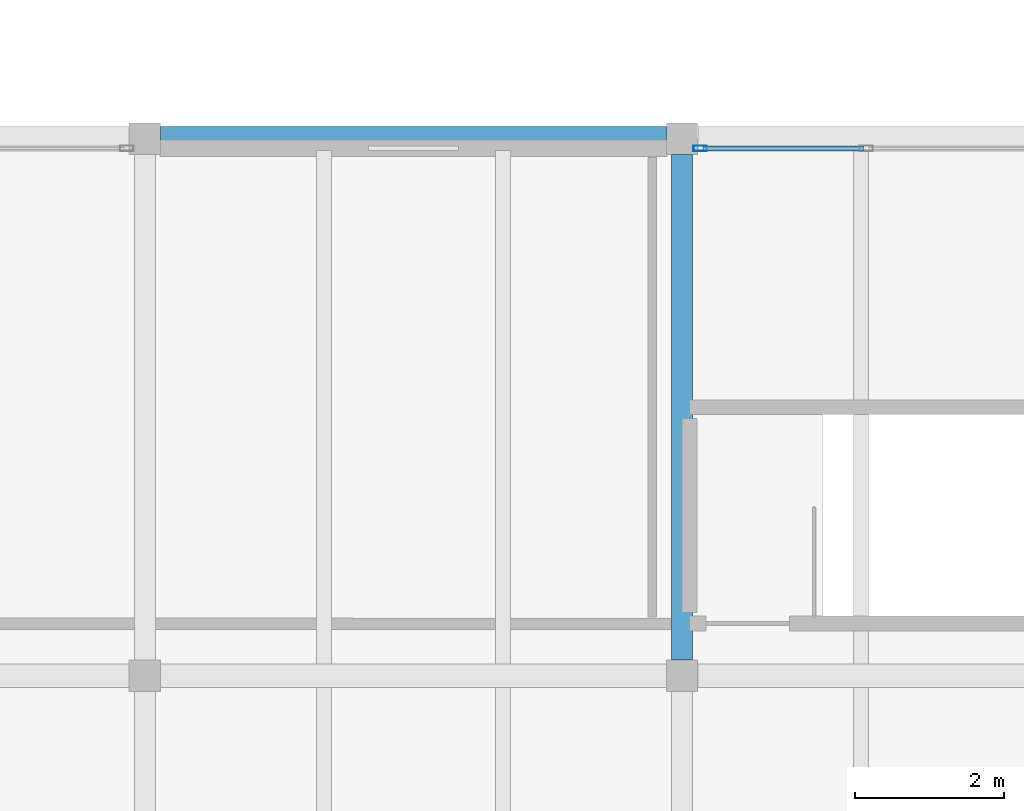
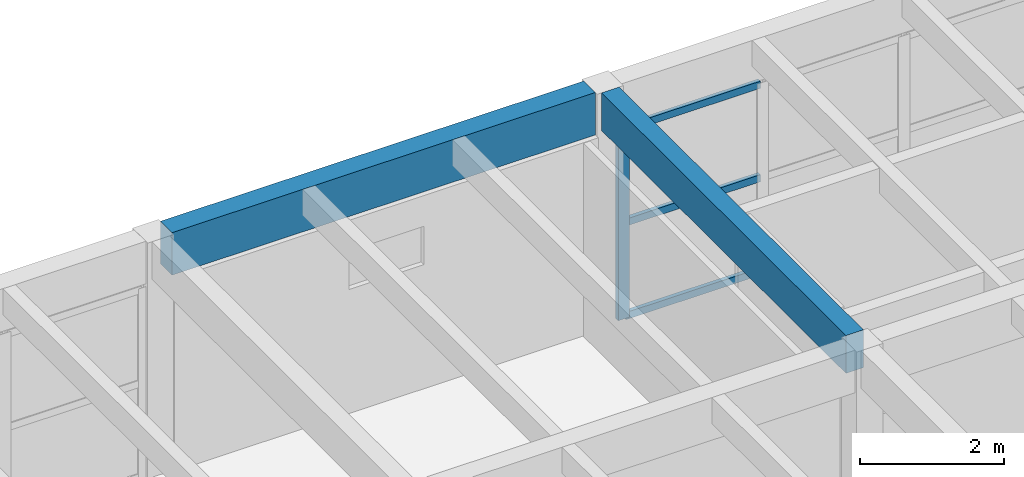
# One storey, part 46 of 68: 4 members, 2 beams, 1 element without a shape of its own.
"""IFC4 building model written with IfcOpenShell, lengths in metres."""

from ifc_helpers import new_model, si_unit, direction, frame, origin, origin_2d, place, context, subcontext, project, spatial, rectangle, hollow_rectangle, extrude, material, material_profile, profile_set, type_object, element, aggregate, save


model = new_model("IFC4")

# Units and contexts
model_context = context("Model", 3, precision=1e-05, world=origin(), true_north=direction((0.0, 1.0)))
body_context = subcontext(model_context, "Body", "Model", "MODEL_VIEW")
ifc_project = project(units=[si_unit("LENGTHUNIT", "METRE"), si_unit("AREAUNIT", "SQUARE_METRE"), si_unit("VOLUMEUNIT", "CUBIC_METRE"), si_unit("PLANEANGLEUNIT", "RADIAN"), si_unit("MASSUNIT", "GRAM", prefix="KILO")], contexts=[model_context])

# Site, building, storey
site_placement = place(None, origin())
site = spatial("IfcSite", under=ifc_project, at=site_placement, CompositionType="ELEMENT")
building_placement = place(site_placement, origin())
building = spatial("IfcBuilding", under=site, at=building_placement, Name="Bramvelor Terrace Health Centre", CompositionType="ELEMENT")
storey_placement = place(building_placement, frame((0.0, 0.0, 9.300048828125)))
storey = spatial("IfcBuildingStorey", under=building, at=storey_placement, Name="L03", CompositionType="ELEMENT", Elevation=9.300048828125)

# Beams
ifc_material_1 = material(Name="Glulam GL28h", Category="wood")
ifc_material_profile_1 = material_profile(ifc_material_1, rectangle(XDim=0.280029296875, YDim=0.639892578125, at=origin_2d()), Name="GL 280x640")
ifc_profile_set_1 = profile_set([ifc_material_profile_1], Name="Glulam GL28h")
beam_type_1 = type_object("IfcBeamType", Name="BM-GL-G640", PredefinedType="BEAM", material=ifc_profile_set_1)
beam_1_placement = place(storey_placement, frame((158.39990234375, 57.81005859375, 3.669921875), z_axis=(0.0, 1.0, 0.0), x_axis=(-1.0, 0.0, 0.0)))
element("IfcBeam", 1, at=beam_1_placement, inside=storey, type_object=beam_type_1, Name="L03 Floor Girder", PredefinedType="BEAM", context=body_context, shape_type="SweptSolid", body=[
    extrude(rectangle(XDim=0.280029296875, YDim=0.639892578125, at=origin_2d()), origin(), (0.0, 0.0, 1.0), 6.780029296875),
])
ifc_material_2 = material(Name="Glulam GL28h", Category="wood")
ifc_material_profile_2 = material_profile(ifc_material_2, rectangle(XDim=0.320068359375, YDim=0.719970703125, at=origin_2d()), Name="GL 320x720")
ifc_profile_set_2 = profile_set([ifc_material_profile_2], Name="Glulam GL28h")
beam_type_2 = type_object("IfcBeamType", Name="BM-GL-G720", PredefinedType="BEAM", material=ifc_profile_set_2)
beam_2_placement = place(storey_placement, frame((151.409912109375, 64.800048828125, 3.6298828125), z_axis=(1.0, 0.0, 0.0), x_axis=(0.0, 1.0, 0.0)))
element("IfcBeam", 2, at=beam_2_placement, inside=storey, type_object=beam_type_2, Name="L03 Floor Girder", PredefinedType="BEAM", context=body_context, shape_type="SweptSolid", body=[
    extrude(rectangle(XDim=0.320068359375, YDim=0.719970703125, at=origin_2d()), origin(), (0.0, 0.0, 1.0), 6.780029296875),
])

# Curtain wall, members
ifc_material_3 = material(Name="Anodized aluminium and double low-E glass", Category="aluminium")
curtain_wall_type = type_object("IfcCurtainWallType", Name="CW-SYS-27", PredefinedType="NOTDEFINED", material=ifc_material_3)
curtain_wall_placement = place(storey_placement, origin())
curtain_wall = element("IfcCurtainWall", 3, at=curtain_wall_placement, inside=storey, type_object=curtain_wall_type, Name="L03 Unitized Curtain Wall 166", PredefinedType="NOTDEFINED")
ifc_material_4 = material(Name="Anodized aluminium 6063-T6", Category="aluminium")
ifc_material_profile_3 = material_profile(ifc_material_4, hollow_rectangle(XDim=0.074951171875, YDim=0.179931640625, WallThickness=0.00341796875, at=origin_2d()), Name="ALU-MUL 75x180x3.5")
ifc_profile_set_3 = profile_set([ifc_material_profile_3], Name="Anodized aluminium 6063-T6")
member_type_1 = type_object("IfcMemberType", Name="CW-MUL-65x180", PredefinedType="MULLION", material=ifc_profile_set_3)
member_1_placement = place(storey_placement, frame((158.642578125, 64.669921875, 0.0), z_axis=(0.0, 0.0, 1.0), x_axis=(0.0, 1.0, 0.0)))
member_1 = element("IfcMember", 4, at=member_1_placement, type_object=member_type_1, Name="CW-27 mullion 1", PredefinedType="MULLION", context=body_context, shape_type="SweptSolid", body=[
    extrude(hollow_rectangle(XDim=0.074951171875, YDim=0.179931640625, WallThickness=0.00341796875, at=origin_2d()), origin(), (0.0, 0.0, 1.0), 3.22998046875),
])
ifc_material_5 = material(Name="Anodized aluminium 6063-T6", Category="aluminium")
ifc_material_profile_4 = material_profile(ifc_material_5, hollow_rectangle(XDim=0.06494140625, YDim=0.1201171875, WallThickness=0.0029296875, at=origin_2d()), Name="ALU-TRN 65x120x3.0")
ifc_profile_set_4 = profile_set([ifc_material_profile_4], Name="Anodized aluminium 6063-T6")
member_type_2 = type_object("IfcMemberType", Name="CW-TRN-65x150", PredefinedType="USERDEFINED", material=ifc_profile_set_4)
member_2_placement = place(storey_placement, frame((158.679931640625, 64.669921875, 0.032470703125), z_axis=(1.0, 0.0, 0.0), x_axis=(0.0, 1.0, 0.0)))
member_2 = element("IfcMember", 5, at=member_2_placement, type_object=member_type_2, Name="CW-27 transom 1.1", ObjectType="TRANSOM", PredefinedType="USERDEFINED", context=body_context, shape_type="SweptSolid", body=[
    extrude(hollow_rectangle(XDim=0.06494140625, YDim=0.1201171875, WallThickness=0.0029296875, at=origin_2d()), origin(), (0.0, 0.0, 1.0), 2.15087890625),
])
member_3_placement = place(storey_placement, frame((158.679931640625, 64.669921875, 1.614990234375), z_axis=(1.0, 0.0, 0.0), x_axis=(0.0, 1.0, 0.0)))
member_3 = element("IfcMember", 6, at=member_3_placement, type_object=member_type_2, Name="CW-27 transom 1.2", ObjectType="TRANSOM", PredefinedType="USERDEFINED", context=body_context, shape_type="SweptSolid", body=[
    extrude(hollow_rectangle(XDim=0.06494140625, YDim=0.1201171875, WallThickness=0.0029296875, at=origin_2d()), origin(), (0.0, 0.0, 1.0), 2.15087890625),
])
member_4_placement = place(storey_placement, frame((158.679931640625, 64.669921875, 3.197509765625), z_axis=(1.0, 0.0, 0.0), x_axis=(0.0, 1.0, 0.0)))
member_4 = element("IfcMember", 7, at=member_4_placement, type_object=member_type_2, Name="CW-27 transom 1.3", ObjectType="TRANSOM", PredefinedType="USERDEFINED", context=body_context, shape_type="SweptSolid", body=[
    extrude(hollow_rectangle(XDim=0.06494140625, YDim=0.1201171875, WallThickness=0.0029296875, at=origin_2d()), origin(), (0.0, 0.0, 1.0), 2.15087890625),
])
aggregate(curtain_wall, [member_1, member_2, member_3, member_4])

save(model, "model.ifc")
